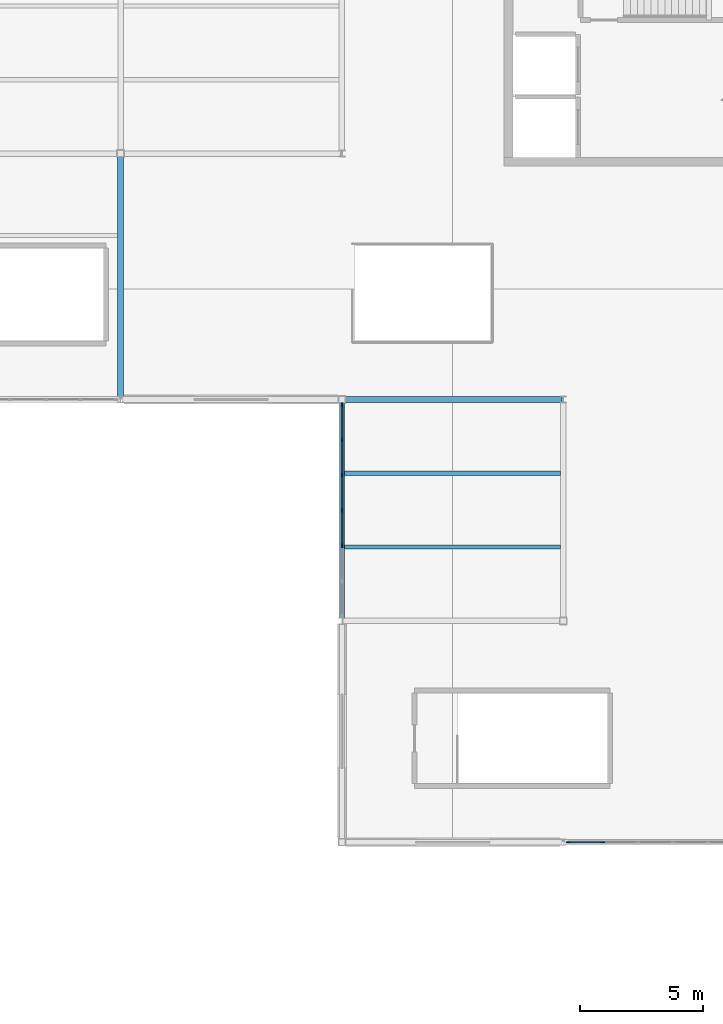
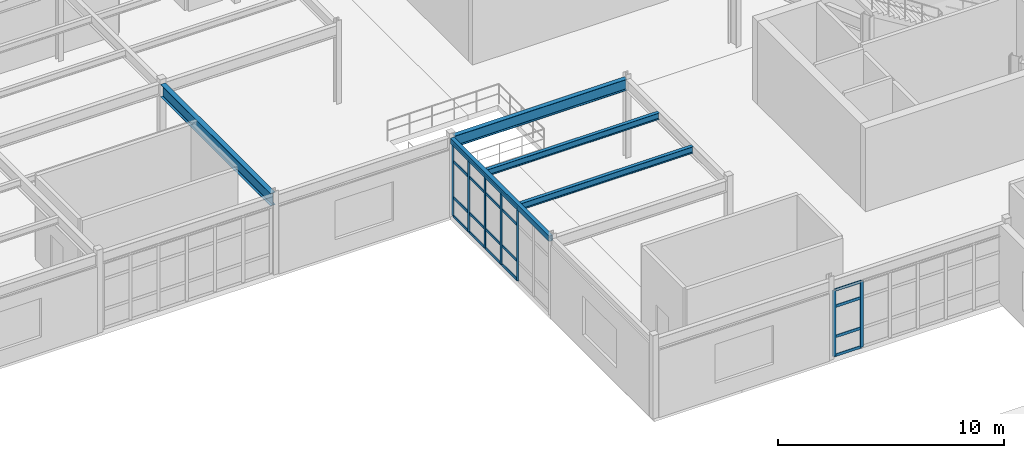
# One storey, part 20 of 81: 27 members, 5 beams, 2 elements without a shape of their own.
"""IFC4 building model written with IfcOpenShell, lengths in metres."""

from ifc_helpers import new_model, si_unit, direction, frame, origin, origin_2d, place, context, subcontext, project, spatial, rectangle, hollow_rectangle, i_section, extrude, material, material_profile, profile_set, type_object, element, aggregate, save


model = new_model("IFC4")

# Units and contexts
model_context = context("Model", 3, precision=1e-05, world=origin(), true_north=direction((0.0, 1.0)))
body_context = subcontext(model_context, "Body", "Model", "MODEL_VIEW")
ifc_project = project(units=[si_unit("LENGTHUNIT", "METRE"), si_unit("AREAUNIT", "SQUARE_METRE"), si_unit("VOLUMEUNIT", "CUBIC_METRE"), si_unit("PLANEANGLEUNIT", "RADIAN"), si_unit("MASSUNIT", "GRAM", prefix="KILO")], contexts=[model_context])

# Site, building, storey
site_placement = place(None, origin())
site = spatial("IfcSite", under=ifc_project, at=site_placement, CompositionType="ELEMENT")
building_placement = place(site_placement, origin())
building = spatial("IfcBuilding", under=site, at=building_placement, Name="Glasvene Arena", CompositionType="ELEMENT")
storey_placement = place(building_placement, frame((0.0, 0.0, 15.0)))
storey = spatial("IfcBuildingStorey", under=building, at=storey_placement, Name="L03", CompositionType="ELEMENT", Elevation=15.0)

# Beams
ifc_material_1 = material(Name="Steel S355J2", Category="steel")
ifc_material_profile_1 = material_profile(ifc_material_1, i_section(OverallWidth=0.228271484375, OverallDepth=0.607666015625, WebThickness=0.010986328125, FlangeThickness=0.017333984375, FilletRadius=0.0126953125, at=origin_2d()), Name="UKB 610x229x113")
ifc_profile_set_1 = profile_set([ifc_material_profile_1], Name="Steel S355J2")
beam_type_1 = type_object("IfcBeamType", Name="BM-GIRD-610", PredefinedType="BEAM", material=ifc_profile_set_1)
beam_1_placement = place(storey_placement, frame((27.14501953125, 54.0, 3.9462890625), z_axis=(1.0, 0.0, 0.0), x_axis=(0.0, 1.0, 0.0)))
element("IfcBeam", 1, at=beam_1_placement, inside=storey, type_object=beam_type_1, Name="Primary X girder L03-0945", PredefinedType="BEAM", context=body_context, shape_type="SweptSolid", body=[
    extrude(i_section(OverallWidth=0.228271484375, OverallDepth=0.607666015625, WebThickness=0.010986328125, FlangeThickness=0.017333984375, FilletRadius=0.0126953125, at=origin_2d()), origin(), (0.0, 0.0, 1.0), 8.804931640625),
])
ifc_material_profile_2 = material_profile(ifc_material_1, i_section(OverallWidth=0.253662109375, OverallDepth=0.68359375, WebThickness=0.012451171875, FlangeThickness=0.01904296875, FilletRadius=0.01513671875, at=origin_2d()), Name="UKB 686x254x140")
ifc_profile_set_2 = profile_set([ifc_material_profile_2], Name="Steel S355J2")
beam_type_2 = type_object("IfcBeamType", Name="BM-GIRD-686", PredefinedType="BEAM", material=ifc_profile_set_2)
beam_2_placement = place(storey_placement, frame((18.0, 54.125, 3.908203125), z_axis=(0.0, 1.0, 0.0), x_axis=(-1.0, 0.0, 0.0)))
element("IfcBeam", 2, at=beam_2_placement, inside=storey, type_object=beam_type_2, Name="Primary Y girder L03-0973", PredefinedType="BEAM", context=body_context, shape_type="SweptSolid", body=[
    extrude(i_section(OverallWidth=0.253662109375, OverallDepth=0.68359375, WebThickness=0.012451171875, FlangeThickness=0.01904296875, FilletRadius=0.01513671875, at=origin_2d()), origin(), (0.0, 0.0, 1.0), 9.72998046875),
])
ifc_material_profile_3 = material_profile(ifc_material_1, i_section(OverallWidth=0.17138671875, OverallDepth=0.35498046875, WebThickness=0.00732421875, FlangeThickness=0.011474609375, FilletRadius=0.01025390625, at=origin_2d()), Name="UKB 356x171x51")
ifc_profile_set_3 = profile_set([ifc_material_profile_3], Name="Steel S355J2")
beam_type_3 = type_object("IfcBeamType", Name="BM-JOIST-356", PredefinedType="JOIST", material=ifc_profile_set_3)
for number, where, z_axis, x_axis, name in (
    (3, (27.095947265625, 48.0, 4.072509765625), (1.0, 0.0, 0.0), (0.0, 1.0, 0.0), "Composite floor joist L03-1001"),
    (4, (27.095947265625, 51.0, 4.072509765625), (1.0, 0.0, 0.0), (0.0, 1.0, 0.0), "Composite floor joist L03-1002"),
):
    element("IfcBeam", number, at=place(storey_placement, frame(where, z_axis=z_axis, x_axis=x_axis)), inside=storey, type_object=beam_type_3, Name=name, PredefinedType="JOIST", context=body_context, shape_type="SweptSolid", body=[
        extrude(i_section(OverallWidth=0.17138671875, OverallDepth=0.35498046875, WebThickness=0.00732421875, FlangeThickness=0.011474609375, FilletRadius=0.01025390625, at=origin_2d()), origin(), (0.0, 0.0, 1.0), 8.7939453125),
    ])
ifc_material_profile_4 = material_profile(ifc_material_1, hollow_rectangle(XDim=0.199951171875, YDim=0.300048828125, WallThickness=0.012451171875, at=origin_2d()), Name="RHS 300x200x12.5")
ifc_profile_set_4 = profile_set([ifc_material_profile_4], Name="Steel S355J2")
beam_type_4 = type_object("IfcBeamType", Name="BM-SPAND-300", PredefinedType="SPANDREL", material=ifc_profile_set_4)
beam_3_placement = place(storey_placement, frame((27.0, 45.125, 4.10009765625), z_axis=(0.0, 1.0, 0.0), x_axis=(-1.0, 0.0, 0.0)))
element("IfcBeam", 5, at=beam_3_placement, inside=storey, type_object=beam_type_4, Name="Primary Y girder L03-0978", PredefinedType="SPANDREL", context=body_context, shape_type="SweptSolid", body=[
    extrude(hollow_rectangle(XDim=0.199951171875, YDim=0.300048828125, WallThickness=0.012451171875, at=origin_2d()), origin(), (0.0, 0.0, 1.0), 8.72998046875),
])

# Curtain wall, members
ifc_material_2 = material(Name="Low-emissivity laminated double glazing", Category="glass")
curtain_wall_type_1 = type_object("IfcCurtainWallType", Name="CW-FAC-L03-859x358", PredefinedType="USERDEFINED", material=ifc_material_2)
curtain_wall_1_placement = place(storey_placement, frame((44.760009765625, 36.0, 0.0)))
curtain_wall_1 = element("IfcCurtainWall", 6, at=curtain_wall_1_placement, inside=storey, type_object=curtain_wall_type_1, Name="Unitised curtain wall CW-F-L03-150-405-360-73", ObjectType="CURTAIN WALL", PredefinedType="USERDEFINED")
ifc_material_3 = material(Name="Anodised architectural aluminium", Category="aluminium")
ifc_material_profile_5 = material_profile(ifc_material_3, rectangle(XDim=0.050048828125, YDim=0.159912109375, at=origin_2d()), Name="ALU MULLION 50x160")
ifc_profile_set_5 = profile_set([ifc_material_profile_5], Name="Anodised architectural aluminium")
member_type_1 = type_object("IfcMemberType", Name="CW-MUL-150", PredefinedType="MULLION", material=ifc_profile_set_5)
member_1_placement = place(storey_placement, frame((37.601806640625, 36.0, 0.06005859375), z_axis=(0.0, 0.0, 1.0), x_axis=(0.0, -1.0, 0.0)))
member_1 = element("IfcMember", 7, at=member_1_placement, type_object=member_type_1, Name="CW-045 mullion 6", PredefinedType="MULLION", context=body_context, shape_type="SweptSolid", body=[
    extrude(rectangle(XDim=0.050048828125, YDim=0.159912109375, at=origin_2d()), origin(), (0.0, 0.0, 1.0), 3.576904296875),
])
member_2_placement = place(storey_placement, frame((36.1953125, 36.0, 0.06005859375), z_axis=(0.0, 0.0, 1.0), x_axis=(0.0, -1.0, 0.0)))
member_2 = element("IfcMember", 8, at=member_2_placement, type_object=member_type_1, Name="CW-045 mullion 7", PredefinedType="MULLION", context=body_context, shape_type="SweptSolid", body=[
    extrude(rectangle(XDim=0.050048828125, YDim=0.159912109375, at=origin_2d()), origin(), (0.0, 0.0, 1.0), 3.576904296875),
])

curtain_wall_type_2 = type_object("IfcCurtainWallType", Name="CW-FAC-L03-864x388", PredefinedType="USERDEFINED", material=ifc_material_2)
curtain_wall_2_placement = place(storey_placement, frame((27.0, 45.172119140625, 0.0)))
curtain_wall_2 = element("IfcCurtainWall", 9, at=curtain_wall_2_placement, inside=storey, type_object=curtain_wall_type_2, Name="Unitised curtain wall CW-F-L03-150-270-495-76", ObjectType="CURTAIN WALL", PredefinedType="USERDEFINED")
member_3_placement = place(storey_placement, frame((27.0, 48.05078125, 0.06005859375), z_axis=(0.0, 0.0, 1.0), x_axis=(-1.0, 0.0, 0.0)))
member_3 = element("IfcMember", 10, at=member_3_placement, type_object=member_type_1, Name="CW-033 mullion 3", PredefinedType="MULLION", context=body_context, shape_type="SweptSolid", body=[
    extrude(rectangle(XDim=0.050048828125, YDim=0.159912109375, at=origin_2d()), origin(), (0.0, 0.0, 1.0), 3.885009765625),
])
member_4_placement = place(storey_placement, frame((27.0, 49.489990234375, 0.06005859375), z_axis=(0.0, 0.0, 1.0), x_axis=(-1.0, 0.0, 0.0)))
member_4 = element("IfcMember", 11, at=member_4_placement, type_object=member_type_1, Name="CW-033 mullion 4", PredefinedType="MULLION", context=body_context, shape_type="SweptSolid", body=[
    extrude(rectangle(XDim=0.050048828125, YDim=0.159912109375, at=origin_2d()), origin(), (0.0, 0.0, 1.0), 3.885009765625),
])
member_5_placement = place(storey_placement, frame((27.0, 50.929443359375, 0.06005859375), z_axis=(0.0, 0.0, 1.0), x_axis=(-1.0, 0.0, 0.0)))
member_5 = element("IfcMember", 12, at=member_5_placement, type_object=member_type_1, Name="CW-033 mullion 5", PredefinedType="MULLION", context=body_context, shape_type="SweptSolid", body=[
    extrude(rectangle(XDim=0.050048828125, YDim=0.159912109375, at=origin_2d()), origin(), (0.0, 0.0, 1.0), 3.885009765625),
])
member_6_placement = place(storey_placement, frame((27.0, 52.36865234375, 0.06005859375), z_axis=(0.0, 0.0, 1.0), x_axis=(-1.0, 0.0, 0.0)))
member_6 = element("IfcMember", 13, at=member_6_placement, type_object=member_type_1, Name="CW-033 mullion 6", PredefinedType="MULLION", context=body_context, shape_type="SweptSolid", body=[
    extrude(rectangle(XDim=0.050048828125, YDim=0.159912109375, at=origin_2d()), origin(), (0.0, 0.0, 1.0), 3.885009765625),
])
member_7_placement = place(storey_placement, frame((27.0, 53.782958984375, 0.06005859375), z_axis=(0.0, 0.0, 1.0), x_axis=(-1.0, 0.0, 0.0)))
member_7 = element("IfcMember", 14, at=member_7_placement, type_object=member_type_1, Name="CW-033 mullion 7", PredefinedType="MULLION", context=body_context, shape_type="SweptSolid", body=[
    extrude(rectangle(XDim=0.050048828125, YDim=0.159912109375, at=origin_2d()), origin(), (0.0, 0.0, 1.0), 3.885009765625),
])

# Member
ifc_material_profile_6 = material_profile(ifc_material_3, rectangle(XDim=0.050048828125, YDim=0.14990234375, at=origin_2d()), Name="ALU TRANSOM 50x150")
ifc_profile_set_6 = profile_set([ifc_material_profile_6], Name="Anodised architectural aluminium")
member_type_2 = type_object("IfcMemberType", Name="CW-TRN-150", PredefinedType="USERDEFINED", material=ifc_profile_set_6)
member_8_placement = place(storey_placement, frame((37.576904296875, 36.0, 0.0849609375), z_axis=(-1.0, 0.0, 0.0), x_axis=(0.0, -1.0, 0.0)))
member_8 = element("IfcMember", 15, at=member_8_placement, type_object=member_type_2, Name="CW-045 transom 6.1", ObjectType="TRANSOM", PredefinedType="USERDEFINED", context=body_context, shape_type="SweptSolid", body=[
    extrude(rectangle(XDim=0.050048828125, YDim=0.14990234375, at=origin_2d()), origin(), (0.0, 0.0, 1.0), 1.356689453125),
])

member_9_placement = place(storey_placement, frame((37.576904296875, 36.0, 1.10009765625), z_axis=(-1.0, 0.0, 0.0), x_axis=(0.0, -1.0, 0.0)))
member_9 = element("IfcMember", 16, at=member_9_placement, type_object=member_type_2, Name="CW-045 transom 6.2", ObjectType="TRANSOM", PredefinedType="USERDEFINED", context=body_context, shape_type="SweptSolid", body=[
    extrude(rectangle(XDim=0.050048828125, YDim=0.14990234375, at=origin_2d()), origin(), (0.0, 0.0, 1.0), 1.356689453125),
])

member_10_placement = place(storey_placement, frame((37.576904296875, 36.0, 2.737060546875), z_axis=(-1.0, 0.0, 0.0), x_axis=(0.0, -1.0, 0.0)))
member_10 = element("IfcMember", 17, at=member_10_placement, type_object=member_type_2, Name="CW-045 transom 6.3", ObjectType="TRANSOM", PredefinedType="USERDEFINED", context=body_context, shape_type="SweptSolid", body=[
    extrude(rectangle(XDim=0.050048828125, YDim=0.14990234375, at=origin_2d()), origin(), (0.0, 0.0, 1.0), 1.356689453125),
])

member_11_placement = place(storey_placement, frame((37.576904296875, 36.0, 3.612060546875), z_axis=(-1.0, 0.0, 0.0), x_axis=(0.0, -1.0, 0.0)))
member_11 = element("IfcMember", 18, at=member_11_placement, type_object=member_type_2, Name="CW-045 transom 6.4", ObjectType="TRANSOM", PredefinedType="USERDEFINED", context=body_context, shape_type="SweptSolid", body=[
    extrude(rectangle(XDim=0.050048828125, YDim=0.14990234375, at=origin_2d()), origin(), (0.0, 0.0, 1.0), 1.356689453125),
])

aggregate(curtain_wall_1, [member_1, member_2, member_8, member_9, member_10, member_11])

member_12_placement = place(storey_placement, frame((27.0, 48.07568359375, 0.0849609375), z_axis=(0.0, 1.0, 0.0), x_axis=(-1.0, 0.0, 0.0)))
member_12 = element("IfcMember", 19, at=member_12_placement, type_object=member_type_2, Name="CW-033 transom 3.1", ObjectType="TRANSOM", PredefinedType="USERDEFINED", context=body_context, shape_type="SweptSolid", body=[
    extrude(rectangle(XDim=0.050048828125, YDim=0.14990234375, at=origin_2d()), origin(), (0.0, 0.0, 1.0), 1.389404296875),
])

member_13_placement = place(storey_placement, frame((27.0, 48.07568359375, 1.10009765625), z_axis=(0.0, 1.0, 0.0), x_axis=(-1.0, 0.0, 0.0)))
member_13 = element("IfcMember", 20, at=member_13_placement, type_object=member_type_2, Name="CW-033 transom 3.2", ObjectType="TRANSOM", PredefinedType="USERDEFINED", context=body_context, shape_type="SweptSolid", body=[
    extrude(rectangle(XDim=0.050048828125, YDim=0.14990234375, at=origin_2d()), origin(), (0.0, 0.0, 1.0), 1.389404296875),
])

member_14_placement = place(storey_placement, frame((27.0, 48.07568359375, 3.044921875), z_axis=(0.0, 1.0, 0.0), x_axis=(-1.0, 0.0, 0.0)))
member_14 = element("IfcMember", 21, at=member_14_placement, type_object=member_type_2, Name="CW-033 transom 3.3", ObjectType="TRANSOM", PredefinedType="USERDEFINED", context=body_context, shape_type="SweptSolid", body=[
    extrude(rectangle(XDim=0.050048828125, YDim=0.14990234375, at=origin_2d()), origin(), (0.0, 0.0, 1.0), 1.389404296875),
])

member_15_placement = place(storey_placement, frame((27.0, 48.07568359375, 3.919921875), z_axis=(0.0, 1.0, 0.0), x_axis=(-1.0, 0.0, 0.0)))
member_15 = element("IfcMember", 22, at=member_15_placement, type_object=member_type_2, Name="CW-033 transom 3.4", ObjectType="TRANSOM", PredefinedType="USERDEFINED", context=body_context, shape_type="SweptSolid", body=[
    extrude(rectangle(XDim=0.050048828125, YDim=0.14990234375, at=origin_2d()), origin(), (0.0, 0.0, 1.0), 1.389404296875),
])

member_16_placement = place(storey_placement, frame((27.0, 49.51513671875, 0.0849609375), z_axis=(0.0, 1.0, 0.0), x_axis=(-1.0, 0.0, 0.0)))
member_16 = element("IfcMember", 23, at=member_16_placement, type_object=member_type_2, Name="CW-033 transom 4.1", ObjectType="TRANSOM", PredefinedType="USERDEFINED", context=body_context, shape_type="SweptSolid", body=[
    extrude(rectangle(XDim=0.050048828125, YDim=0.14990234375, at=origin_2d()), origin(), (0.0, 0.0, 1.0), 1.38916015625),
])

member_17_placement = place(storey_placement, frame((27.0, 49.51513671875, 1.10009765625), z_axis=(0.0, 1.0, 0.0), x_axis=(-1.0, 0.0, 0.0)))
member_17 = element("IfcMember", 24, at=member_17_placement, type_object=member_type_2, Name="CW-033 transom 4.2", ObjectType="TRANSOM", PredefinedType="USERDEFINED", context=body_context, shape_type="SweptSolid", body=[
    extrude(rectangle(XDim=0.050048828125, YDim=0.14990234375, at=origin_2d()), origin(), (0.0, 0.0, 1.0), 1.38916015625),
])

member_18_placement = place(storey_placement, frame((27.0, 49.51513671875, 3.044921875), z_axis=(0.0, 1.0, 0.0), x_axis=(-1.0, 0.0, 0.0)))
member_18 = element("IfcMember", 25, at=member_18_placement, type_object=member_type_2, Name="CW-033 transom 4.3", ObjectType="TRANSOM", PredefinedType="USERDEFINED", context=body_context, shape_type="SweptSolid", body=[
    extrude(rectangle(XDim=0.050048828125, YDim=0.14990234375, at=origin_2d()), origin(), (0.0, 0.0, 1.0), 1.38916015625),
])

member_19_placement = place(storey_placement, frame((27.0, 49.51513671875, 3.919921875), z_axis=(0.0, 1.0, 0.0), x_axis=(-1.0, 0.0, 0.0)))
member_19 = element("IfcMember", 26, at=member_19_placement, type_object=member_type_2, Name="CW-033 transom 4.4", ObjectType="TRANSOM", PredefinedType="USERDEFINED", context=body_context, shape_type="SweptSolid", body=[
    extrude(rectangle(XDim=0.050048828125, YDim=0.14990234375, at=origin_2d()), origin(), (0.0, 0.0, 1.0), 1.38916015625),
])

member_20_placement = place(storey_placement, frame((27.0, 50.954345703125, 0.0849609375), z_axis=(0.0, 1.0, 0.0), x_axis=(-1.0, 0.0, 0.0)))
member_20 = element("IfcMember", 27, at=member_20_placement, type_object=member_type_2, Name="CW-033 transom 5.1", ObjectType="TRANSOM", PredefinedType="USERDEFINED", context=body_context, shape_type="SweptSolid", body=[
    extrude(rectangle(XDim=0.050048828125, YDim=0.14990234375, at=origin_2d()), origin(), (0.0, 0.0, 1.0), 1.389404296875),
])

member_21_placement = place(storey_placement, frame((27.0, 50.954345703125, 1.10009765625), z_axis=(0.0, 1.0, 0.0), x_axis=(-1.0, 0.0, 0.0)))
member_21 = element("IfcMember", 28, at=member_21_placement, type_object=member_type_2, Name="CW-033 transom 5.2", ObjectType="TRANSOM", PredefinedType="USERDEFINED", context=body_context, shape_type="SweptSolid", body=[
    extrude(rectangle(XDim=0.050048828125, YDim=0.14990234375, at=origin_2d()), origin(), (0.0, 0.0, 1.0), 1.389404296875),
])

member_22_placement = place(storey_placement, frame((27.0, 50.954345703125, 3.044921875), z_axis=(0.0, 1.0, 0.0), x_axis=(-1.0, 0.0, 0.0)))
member_22 = element("IfcMember", 29, at=member_22_placement, type_object=member_type_2, Name="CW-033 transom 5.3", ObjectType="TRANSOM", PredefinedType="USERDEFINED", context=body_context, shape_type="SweptSolid", body=[
    extrude(rectangle(XDim=0.050048828125, YDim=0.14990234375, at=origin_2d()), origin(), (0.0, 0.0, 1.0), 1.389404296875),
])

member_23_placement = place(storey_placement, frame((27.0, 50.954345703125, 3.919921875), z_axis=(0.0, 1.0, 0.0), x_axis=(-1.0, 0.0, 0.0)))
member_23 = element("IfcMember", 30, at=member_23_placement, type_object=member_type_2, Name="CW-033 transom 5.4", ObjectType="TRANSOM", PredefinedType="USERDEFINED", context=body_context, shape_type="SweptSolid", body=[
    extrude(rectangle(XDim=0.050048828125, YDim=0.14990234375, at=origin_2d()), origin(), (0.0, 0.0, 1.0), 1.389404296875),
])

member_24_placement = place(storey_placement, frame((27.0, 52.393798828125, 0.0849609375), z_axis=(0.0, 1.0, 0.0), x_axis=(-1.0, 0.0, 0.0)))
member_24 = element("IfcMember", 31, at=member_24_placement, type_object=member_type_2, Name="CW-033 transom 6.1", ObjectType="TRANSOM", PredefinedType="USERDEFINED", context=body_context, shape_type="SweptSolid", body=[
    extrude(rectangle(XDim=0.050048828125, YDim=0.14990234375, at=origin_2d()), origin(), (0.0, 0.0, 1.0), 1.3642578125),
])

member_25_placement = place(storey_placement, frame((27.0, 52.393798828125, 1.10009765625), z_axis=(0.0, 1.0, 0.0), x_axis=(-1.0, 0.0, 0.0)))
member_25 = element("IfcMember", 32, at=member_25_placement, type_object=member_type_2, Name="CW-033 transom 6.2", ObjectType="TRANSOM", PredefinedType="USERDEFINED", context=body_context, shape_type="SweptSolid", body=[
    extrude(rectangle(XDim=0.050048828125, YDim=0.14990234375, at=origin_2d()), origin(), (0.0, 0.0, 1.0), 1.3642578125),
])

member_26_placement = place(storey_placement, frame((27.0, 52.393798828125, 3.044921875), z_axis=(0.0, 1.0, 0.0), x_axis=(-1.0, 0.0, 0.0)))
member_26 = element("IfcMember", 33, at=member_26_placement, type_object=member_type_2, Name="CW-033 transom 6.3", ObjectType="TRANSOM", PredefinedType="USERDEFINED", context=body_context, shape_type="SweptSolid", body=[
    extrude(rectangle(XDim=0.050048828125, YDim=0.14990234375, at=origin_2d()), origin(), (0.0, 0.0, 1.0), 1.3642578125),
])

member_27_placement = place(storey_placement, frame((27.0, 52.393798828125, 3.919921875), z_axis=(0.0, 1.0, 0.0), x_axis=(-1.0, 0.0, 0.0)))
member_27 = element("IfcMember", 34, at=member_27_placement, type_object=member_type_2, Name="CW-033 transom 6.4", ObjectType="TRANSOM", PredefinedType="USERDEFINED", context=body_context, shape_type="SweptSolid", body=[
    extrude(rectangle(XDim=0.050048828125, YDim=0.14990234375, at=origin_2d()), origin(), (0.0, 0.0, 1.0), 1.3642578125),
])

aggregate(curtain_wall_2, [member_3, member_4, member_5, member_6, member_7, member_12, member_13, member_14, member_15, member_16, member_17, member_18, member_19, member_20, member_21, member_22, member_23, member_24, member_25, member_26, member_27])

save(model, "model.ifc")
